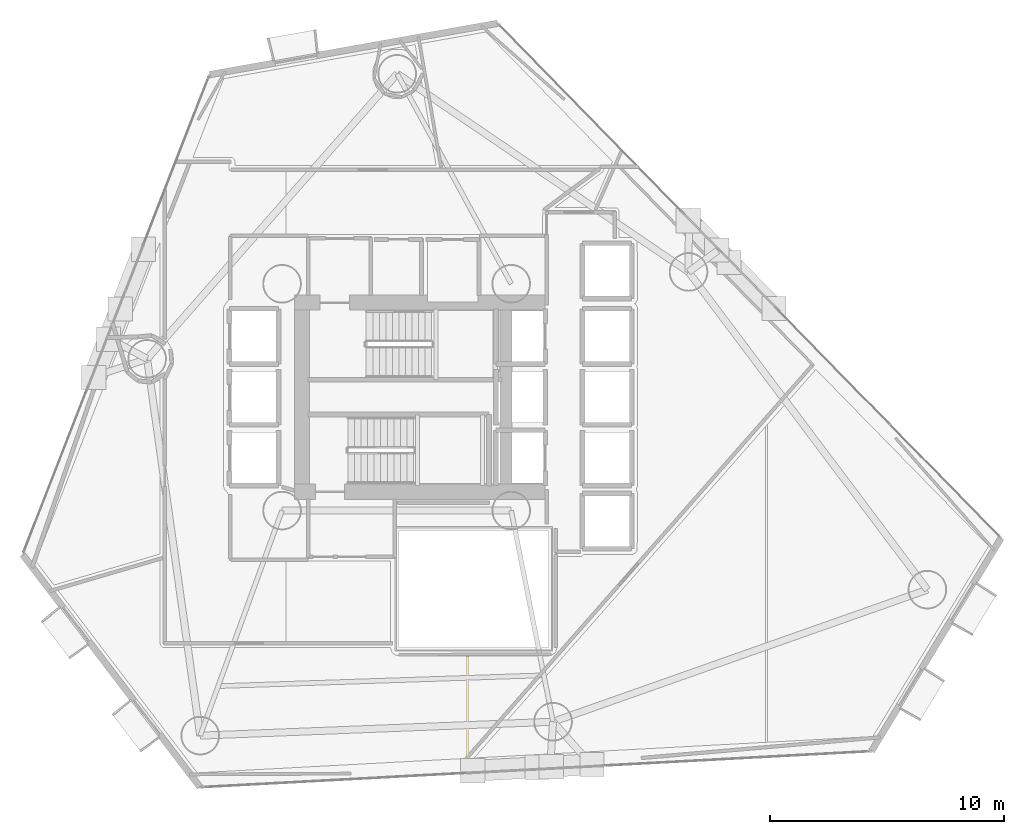
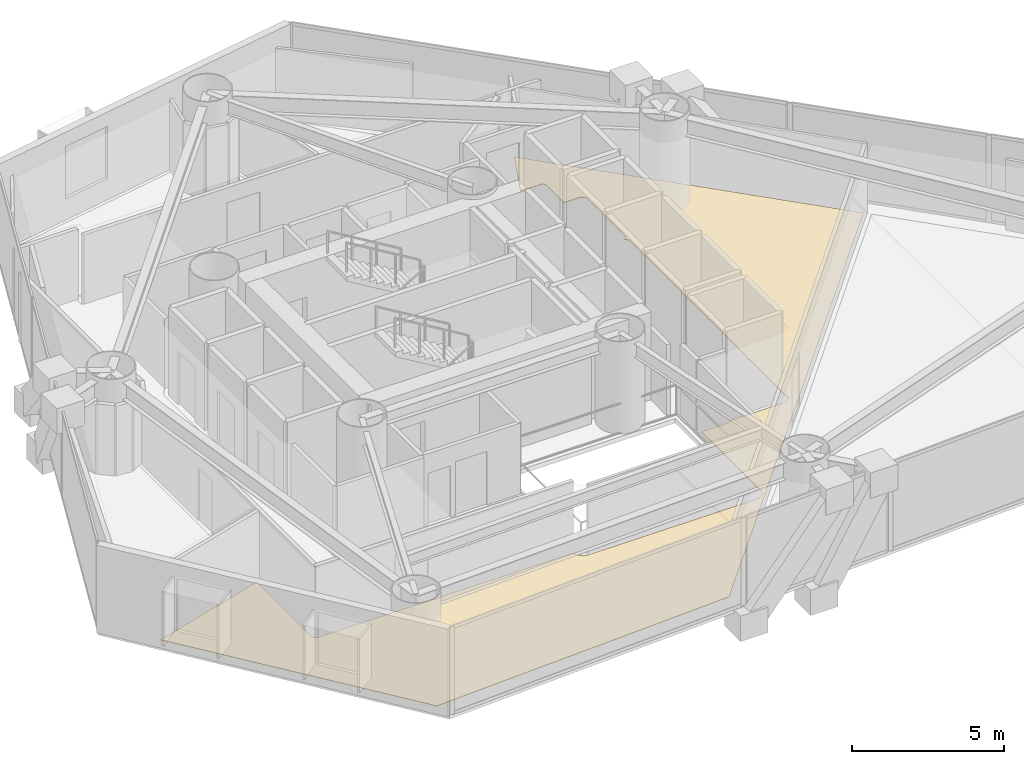
# One storey, part 20 of 23: 1 covering.
"""IFC4 building model written with IfcOpenShell, lengths in metres."""

from ifc_helpers import new_model, si_unit, direction, frame, origin, place, context, subcontext, project, spatial, polyline, outline, extrude, material, layer, layer_set, type_object, element, save


model = new_model("IFC4")

# Units and contexts
model_context = context("Model", 3, precision=1e-05, world=origin(), true_north=direction((0.0, 1.0)))
body_context = subcontext(model_context, "Body", "Model", "MODEL_VIEW")
ifc_project = project(units=[si_unit("LENGTHUNIT", "METRE"), si_unit("AREAUNIT", "SQUARE_METRE"), si_unit("VOLUMEUNIT", "CUBIC_METRE"), si_unit("PLANEANGLEUNIT", "RADIAN"), si_unit("MASSUNIT", "GRAM", prefix="KILO")], contexts=[model_context])

# Site, building, storey
site_placement = place(None, origin())
site = spatial("IfcSite", under=ifc_project, at=site_placement, CompositionType="ELEMENT")
building_placement = place(site_placement, origin())
building = spatial("IfcBuilding", under=site, at=building_placement, Name="Qianvela Tower", CompositionType="ELEMENT")
storey_placement = place(building_placement, frame((0.0, 0.0, 56.199951171875)))
storey = spatial("IfcBuildingStorey", under=building, at=storey_placement, Name="L13", CompositionType="ELEMENT", Elevation=56.199951171875)

# Covering
ifc_material = material(Name="Engineered Acoustic Oak Timber Flooring", Category="wood")
ifc_layer = layer(ifc_material, 0.02001953125)
ifc_layer_set = layer_set([ifc_layer], Name="Engineered Acoustic Oak Timber Flooring")
covering_type = type_object("IfcCoveringType", Name="COV-FLOOR-OAK-20", PredefinedType="FLOORING", material=ifc_layer_set)
covering_placement = place(storey_placement, origin())
element("IfcCovering", 1, at=covering_placement, inside=storey, type_object=covering_type, Name="L13 Finish Flooring Student Reading Library L13-01A", PredefinedType="FLOORING", context=body_context, shape_type="SweptSolid", body=[
    extrude(outline(polyline([(33.31298828125, 17.78466796875), (33.31689453125, 17.77783203125), (33.32177734375, 17.771484375), (33.326904296875, 17.765869140625), (33.332763671875, 17.760498046875), (33.417236328125, 17.691162109375), (33.42431640625, 17.68603515625), (33.431884765625, 17.681640625), (33.440185546875, 17.677978515625), (33.448486328125, 17.675537109375), (33.58056640625, 17.642333984375), (33.5869140625, 17.64111328125), (33.593505859375, 17.640380859375), (33.60009765625, 17.639892578125), (40.0, 17.639892578125), (40.0078125, 17.640380859375), (40.015625, 17.6416015625), (40.122802734375, 17.662841796875), (40.13037109375, 17.664794921875), (40.1376953125, 17.66748046875), (40.14501953125, 17.6708984375), (40.151611328125, 17.6748046875), (40.157958984375, 17.679443359375), (40.28369140625, 17.78271484375), (40.289306640625, 17.787841796875), (40.294677734375, 17.793701171875), (40.29931640625, 17.800048828125), (40.303466796875, 17.806640625), (40.306640625, 17.813720703125), (40.309326171875, 17.8212890625), (40.356689453125, 17.976806640625), (40.3583984375, 17.984375), (40.359619140625, 17.9921875), (40.360107421875, 18.0), (40.360107421875, 21.889892578125), (41.367919921875, 21.890380859375), (41.375732421875, 21.890869140625), (41.383544921875, 21.891845703125), (41.39111328125, 21.893798828125), (41.3984375, 21.896484375), (41.405517578125, 21.89990234375), (41.45947265625, 21.9287109375), (41.46630859375, 21.932861328125), (41.472900390625, 21.9375), (41.478759765625, 21.943115234375), (41.48388671875, 21.948974609375), (41.48876953125, 21.955322265625), (41.492919921875, 21.96240234375), (41.49609375, 21.969482421875), (41.498779296875, 21.97705078125), (41.49951171875, 21.97998046875), (43.59375, 21.980712890625), (43.602294921875, 21.981201171875), (43.610595703125, 21.982421875), (43.618896484375, 21.984619140625), (43.626708984375, 21.98779296875), (43.63427734375, 21.99169921875), (43.641357421875, 21.996337890625), (43.757080078125, 22.082275390625), (43.763427734375, 22.08740234375), (43.769287109375, 22.09326171875), (43.7744140625, 22.099609375), (43.77880859375, 22.106689453125), (43.782470703125, 22.114013671875), (43.785400390625, 22.12158203125), (43.78759765625, 22.129638671875), (43.788818359375, 22.1376953125), (43.789306640625, 22.14599609375), (43.800048828125, 24.599609375), (43.7998046875, 24.606689453125), (43.798828125, 24.613525390625), (43.79736328125, 24.620361328125), (43.79541015625, 24.626953125), (43.763427734375, 24.7158203125), (43.760498046875, 24.722900390625), (43.7568359375, 24.72998046875), (43.75244140625, 24.736572265625), (43.74755859375, 24.742431640625), (43.741943359375, 24.748046875), (43.739990234375, 24.74951171875), (43.743408203125, 24.75341796875), (43.74755859375, 24.760009765625), (43.751220703125, 24.766845703125), (43.79150390625, 24.85205078125), (43.794921875, 24.860107421875), (43.79736328125, 24.86865234375), (43.798828125, 24.87744140625), (43.79931640625, 24.88623046875), (43.800048828125, 27.300048828125), (43.799560546875, 27.307861328125), (43.79833984375, 27.31591796875), (43.79638671875, 27.323486328125), (43.793701171875, 27.3310546875), (43.7646484375, 27.39990234375), (43.793701171875, 27.468994140625), (43.79638671875, 27.476318359375), (43.79833984375, 27.484130859375), (43.799560546875, 27.491943359375), (43.800048828125, 27.5), (43.800048828125, 29.89990234375), (43.799560546875, 29.907958984375), (43.79833984375, 29.915771484375), (43.79638671875, 29.923583984375), (43.793701171875, 29.93115234375), (43.7646484375, 30.0), (43.793701171875, 30.06884765625), (43.79638671875, 30.076416015625), (43.79833984375, 30.084228515625), (43.799560546875, 30.09228515625), (43.800048828125, 30.10009765625), (43.7939453125, 32.540771484375), (43.793701171875, 32.548583984375), (43.79248046875, 32.556396484375), (43.79052734375, 32.56396484375), (43.787841796875, 32.5712890625), (43.784423828125, 32.578369140625), (43.780517578125, 32.585205078125), (43.7353515625, 32.652587890625), (43.73095703125, 32.658447265625), (43.726318359375, 32.6640625), (43.720947265625, 32.6689453125), (43.715087890625, 32.673583984375), (43.708984375, 32.677490234375), (43.702392578125, 32.680908203125), (43.69580078125, 32.68359375), (43.6533203125, 32.69873046875), (43.699462890625, 32.718017578125), (43.70703125, 32.721435546875), (43.71435546875, 32.72607421875), (43.72119140625, 32.731201171875), (43.727294921875, 32.737060546875), (43.732666015625, 32.74365234375), (43.7373046875, 32.750732421875), (43.785888671875, 32.83154296875), (43.789306640625, 32.837890625), (43.792236328125, 32.844482421875), (43.79443359375, 32.8515625), (43.7958984375, 32.8583984375), (43.797119140625, 32.86572265625), (43.79736328125, 32.872802734375), (43.789306640625, 35.353759765625), (43.788818359375, 35.362060546875), (43.78759765625, 35.3701171875), (43.785400390625, 35.378173828125), (43.782470703125, 35.385986328125), (43.77880859375, 35.393310546875), (43.7744140625, 35.400146484375), (43.769287109375, 35.40673828125), (43.763427734375, 35.41259765625), (43.757080078125, 35.417724609375), (43.641357421875, 35.503662109375), (43.63427734375, 35.50830078125), (43.626708984375, 35.51220703125), (43.618896484375, 35.515380859375), (43.610595703125, 35.517578125), (43.602294921875, 35.518798828125), (43.59375, 35.519287109375), (43.0, 35.52001953125), (43.010009765625, 36.6494140625), (43.009765625, 36.656494140625), (43.0087890625, 36.66357421875), (43.00732421875, 36.670654296875), (43.005126953125, 36.677490234375), (43.002197265625, 36.68408203125), (42.97314453125, 36.74609375), (42.96923828125, 36.753173828125), (42.96484375, 36.759765625), (42.959716796875, 36.76611328125), (42.953857421875, 36.771728515625), (42.947509765625, 36.776611328125), (42.94091796875, 36.781005859375), (42.93359375, 36.784912109375), (42.926025390625, 36.78759765625), (42.918212890625, 36.789794921875), (42.910400390625, 36.791259765625), (42.90234375, 36.791748046875), (42.098388671875, 36.8076171875), (42.896728515625, 38.609130859375), (51.232666015625, 30.0869140625), (36.420166015625, 13.248779296875), (24.972900390625, 12.63427734375), (19.006103515625, 20.457275390625), (23.389892578125, 21.740966796875), (23.389892578125, 18.14990234375), (23.390380859375, 18.14208984375), (23.3916015625, 18.134521484375), (23.393310546875, 18.126708984375), (23.39599609375, 18.119384765625), (23.3994140625, 18.1123046875), (23.403564453125, 18.105712890625), (23.452880859375, 18.031494140625), (23.45751953125, 18.025390625), (23.462890625, 18.01953125), (23.468505859375, 18.014404296875), (23.474853515625, 18.009521484375), (23.481689453125, 18.005615234375), (23.48876953125, 18.002197265625), (23.49609375, 17.99951171875), (23.503662109375, 17.99755859375), (23.511474609375, 17.99658203125), (23.519287109375, 17.99609375), (33.24609375, 17.989990234375), (33.252197265625, 17.912353515625), (33.25341796875, 17.904296875), (33.25537109375, 17.896240234375), (33.258056640625, 17.888427734375), (33.261474609375, 17.881103515625), (33.31298828125, 17.78466796875)])), origin(), (0.0, 0.0, 1.0), 0.02001953125),
])

save(model, "model.ifc")
